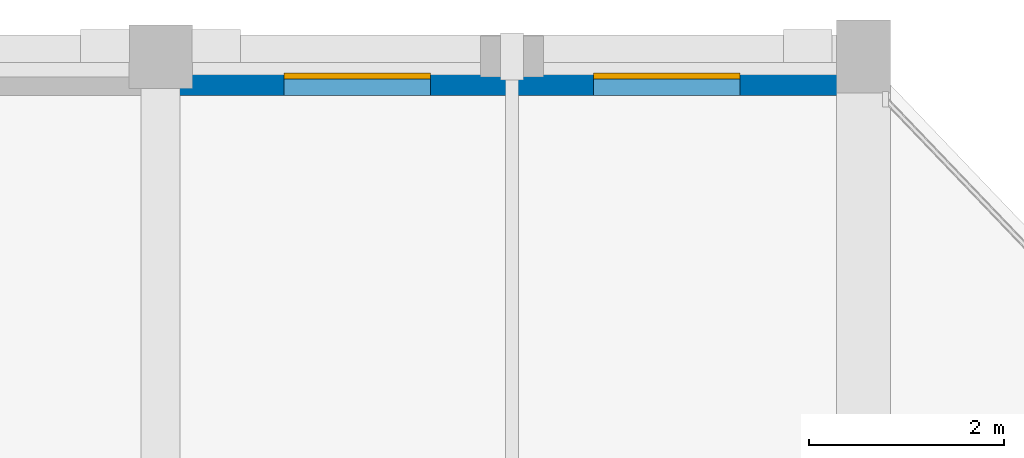
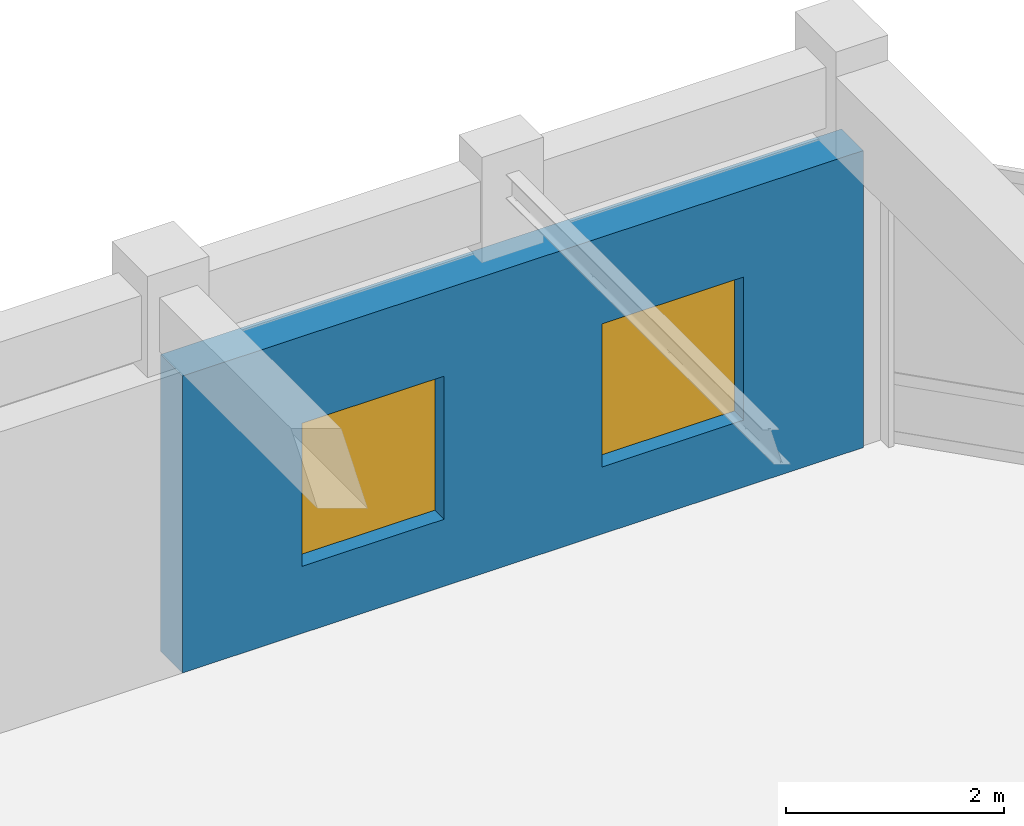
# One storey, part 48 of 62: 2 windows, 1 wall, 2 openings.
"""IFC4 building model written with IfcOpenShell, lengths in metres."""

from ifc_helpers import new_model, si_unit, direction, frame, frame_2d, origin, place, context, subcontext, project, spatial, rectangle, extrude, material, layer, layer_set, type_object, element, fill, save


model = new_model("IFC4")

# Units and contexts
model_context = context("Model", 3, precision=1e-05, world=origin(), true_north=direction((0.0, 1.0)))
body_context = subcontext(model_context, "Body", "Model", "MODEL_VIEW")
ifc_project = project(units=[si_unit("LENGTHUNIT", "METRE"), si_unit("AREAUNIT", "SQUARE_METRE"), si_unit("VOLUMEUNIT", "CUBIC_METRE"), si_unit("PLANEANGLEUNIT", "RADIAN"), si_unit("MASSUNIT", "GRAM", prefix="KILO")], contexts=[model_context])

# Site, building, storey
site_placement = place(None, origin())
site = spatial("IfcSite", under=ifc_project, at=site_placement, CompositionType="ELEMENT")
building_placement = place(site_placement, origin())
building = spatial("IfcBuilding", under=site, at=building_placement, Name="Clarverna Civic Hall", CompositionType="ELEMENT")
storey_placement = place(building_placement, frame((0.0, 0.0, 5.10009765625)))
storey = spatial("IfcBuildingStorey", under=building, at=storey_placement, Name="L01", CompositionType="ELEMENT", Elevation=5.10009765625)

# Wall, openings, windows
ifc_material_1 = material(Name="Montjuic Limestone Ashlar Cladding", Category="masonry")
ifc_layer = layer(ifc_material_1, 0.39990234375)
ifc_layer_set = layer_set([ifc_layer], Name="Montjuic Limestone Ashlar Cladding")
wall_type = type_object("IfcWallType", Name="EW-02", PredefinedType="SOLIDWALL", material=ifc_layer_set)
wall_placement = place(storey_placement, frame((147.60009765625, 115.800048828125, 0.0), z_axis=(0.0, 0.0, 1.0), x_axis=(1.0, 0.0, 0.0)))
wall = element("IfcWall", 1, at=wall_placement, inside=storey, type_object=wall_type, Name="EW-02-038", PredefinedType="SOLIDWALL", context=body_context, shape_type="SweptSolid", body=[
    extrude(rectangle(XDim=7.199951171875, YDim=0.39990234375, at=frame_2d((3.60009765625, 0.0))), origin(), (0.0, 0.0, 1.0), 3.31982421875),
])
opening_1_placement = place(wall_placement, frame((1.26611328125, 0.0, 0.75)))
opening_1 = element("IfcOpeningElement", 2, at=opening_1_placement, cuts=wall, Name="Opening WN-14", PredefinedType="OPENING", context=body_context, shape_type="SweptSolid", body=[
    extrude(rectangle(XDim=1.5, YDim=1.60009765625, at=frame_2d((0.75, 0.800048828125))), frame((0.0, 0.2099609375, 0.0), z_axis=(0.0, -1.0, 0.0), x_axis=(1.0, 0.0, 0.0)), (0.0, 0.0, 1.0), 0.419921875),
])
opening_2_placement = place(wall_placement, frame((4.43408203125, 0.0, 0.75)))
opening_2 = element("IfcOpeningElement", 3, at=opening_2_placement, cuts=wall, Name="Opening WN-14", PredefinedType="OPENING", context=body_context, shape_type="SweptSolid", body=[
    extrude(rectangle(XDim=1.5, YDim=1.60009765625, at=frame_2d((0.75, 0.800048828125))), frame((0.0, 0.2099609375, 0.0), z_axis=(0.0, -1.0, 0.0), x_axis=(1.0, 0.0, 0.0)), (0.0, 0.0, 1.0), 0.419921875),
])
ifc_material_2 = material(Name="Solar-Control Argon Low-E Double Glazing", Category="glass")
window_type = type_object("IfcWindowType", Name="WN-14", PartitioningType="DOUBLE_PANEL_HORIZONTAL", PredefinedType="WINDOW", material=ifc_material_2)
window_1_placement = place(opening_1_placement, origin())
window_1 = element("IfcWindow", 4, at=window_1_placement, inside=storey, type_object=window_type, Name="WN-14-011", OverallHeight=1.60009765625, OverallWidth=1.5, PartitioningType="DOUBLE_PANEL_HORIZONTAL", PredefinedType="WINDOW", context=body_context, shape_type="SweptSolid", body=[
    extrude(rectangle(XDim=1.5, YDim=1.60009765625, at=frame_2d((0.75, 0.800048828125))), frame((0.0, 0.030029296875, 0.0), z_axis=(0.0, -1.0, 0.0), x_axis=(1.0, 0.0, 0.0)), (0.0, 0.0, 1.0), 0.06005859375),
])
fill(opening_1, window_1)
window_2_placement = place(opening_2_placement, origin())
window_2 = element("IfcWindow", 5, at=window_2_placement, inside=storey, type_object=window_type, Name="WN-14-012", OverallHeight=1.60009765625, OverallWidth=1.5, PartitioningType="DOUBLE_PANEL_HORIZONTAL", PredefinedType="WINDOW", context=body_context, shape_type="SweptSolid", body=[
    extrude(rectangle(XDim=1.5, YDim=1.60009765625, at=frame_2d((0.75, 0.800048828125))), frame((0.0, 0.030029296875, 0.0), z_axis=(0.0, -1.0, 0.0), x_axis=(1.0, 0.0, 0.0)), (0.0, 0.0, 1.0), 0.06005859375),
])
fill(opening_2, window_2)

save(model, "model.ifc")
